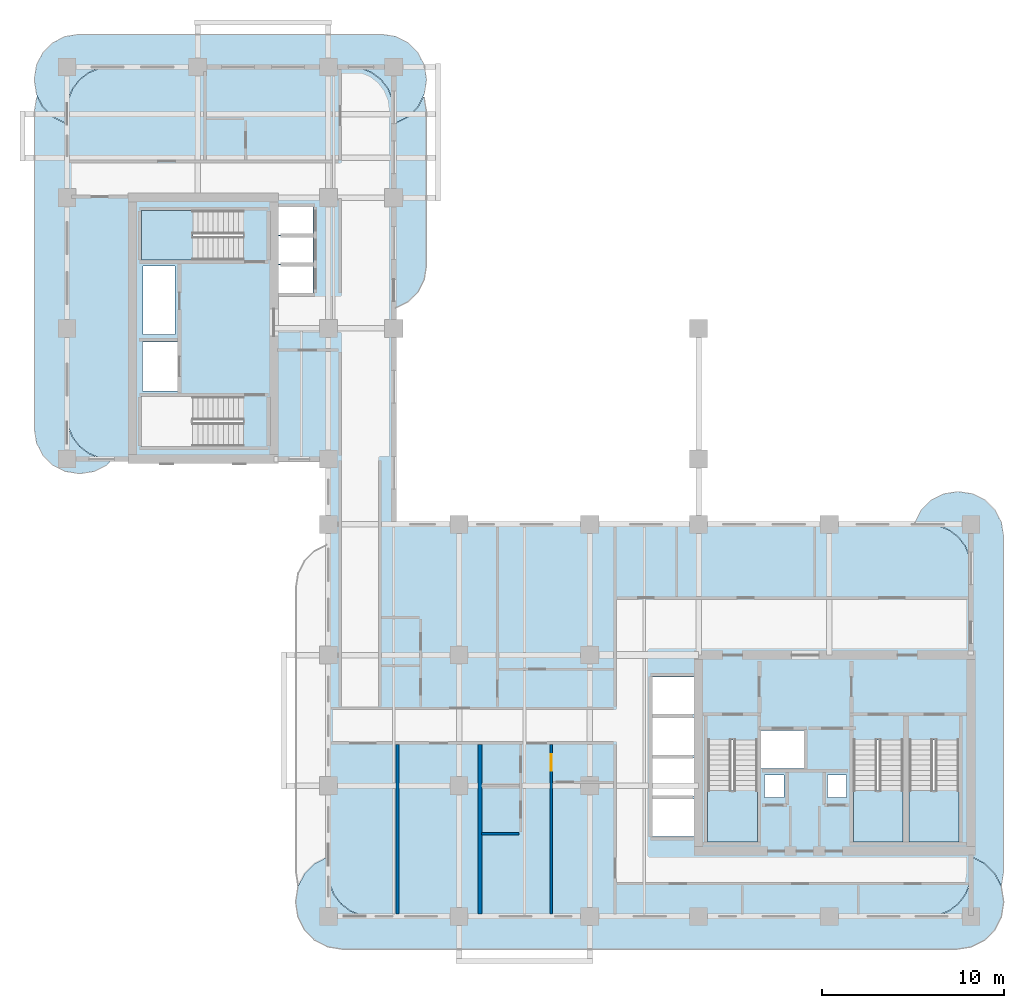
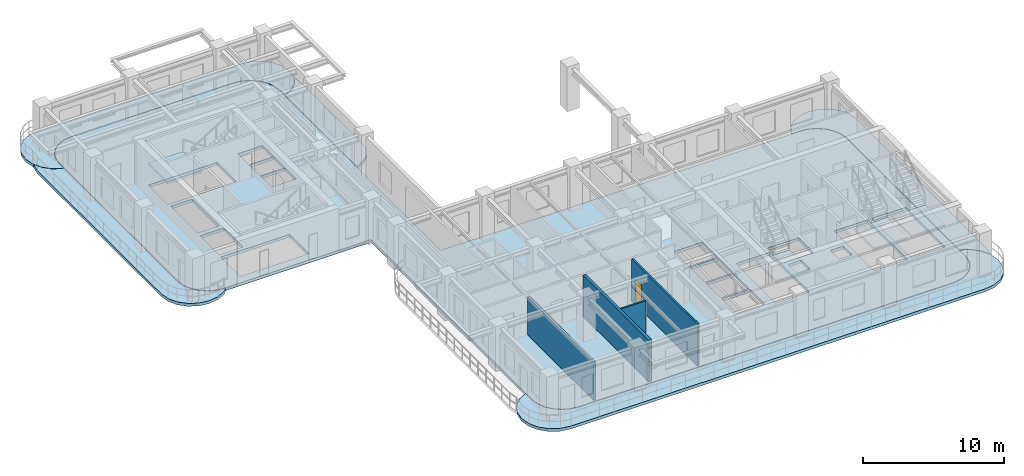
# One storey, part 3 of 14: 10 slabs, 4 walls, 1 door, 1 opening, 4 elements without a shape of their own.
"""IFC4 building model written with IfcOpenShell, lengths in metres."""

from ifc_helpers import new_model, si_unit, derived_unit, direction, frame, frame_2d, origin, place, context, subcontext, project, spatial, polyline, rectangle, outline, extrude, source, transform, mapped, material, layer, layer_set, type_object, type_shapes, element, fill, aggregate, save


model = new_model("IFC4")

# Units and contexts
model_context = context("Model", 3, precision=1e-05, world=origin(), true_north=direction((0.0, 1.0)))
body_context = subcontext(model_context, "Body", "Model", "MODEL_VIEW")
ifc_project = project(units=[si_unit("LENGTHUNIT", "METRE"), si_unit("AREAUNIT", "SQUARE_METRE"), si_unit("VOLUMEUNIT", "CUBIC_METRE"), si_unit("PLANEANGLEUNIT", "RADIAN"), si_unit("MASSUNIT", "GRAM", prefix="KILO"), si_unit("THERMODYNAMICTEMPERATUREUNIT", "KELVIN"), si_unit("POWERUNIT", "WATT"), derived_unit("THERMALTRANSMITTANCEUNIT", [(si_unit("POWERUNIT", "WATT"), 1), (si_unit("AREAUNIT", "SQUARE_METRE"), -1), (si_unit("THERMODYNAMICTEMPERATUREUNIT", "KELVIN"), -1)])], contexts=[model_context])

# Site, building, storey
site_placement = place(None, origin())
site = spatial("IfcSite", under=ifc_project, at=site_placement, CompositionType="ELEMENT")
building_placement = place(site_placement, origin())
building = spatial("IfcBuilding", under=site, at=building_placement, Name="Zahravan Archway Hotel and Residences", CompositionType="ELEMENT")
storey_placement = place(building_placement, frame((0.0, 0.0, 188.800048828125)))
storey = spatial("IfcBuildingStorey", under=building, at=storey_placement, Name="L47", CompositionType="ELEMENT", Elevation=188.800048828125)

# Slabs
ifc_material_1 = material(Name="Concrete C45/55", Category="concrete")
ifc_layer_1 = layer(ifc_material_1, 0.25, Name="Concrete C45/55", Category="concrete")
ifc_layer_set_1 = layer_set([ifc_layer_1], Name="Concrete C45/55")
slab_type_1 = type_object("IfcSlabType", Name="SLB-BALC-250", PredefinedType="FLOOR", material=ifc_layer_set_1)
slab_1_placement = place(storey_placement, frame((0.0, 0.0, -0.25)))
element("IfcSlab", 1, at=slab_1_placement, inside=storey, type_object=slab_type_1, Name="L47 Wing A South Rounded Balcony Band", PredefinedType="FLOOR", context=body_context, shape_type="SweptSolid", body=[
    extrude(outline(polyline([(49.837890625, 3.275146484375), (50.548828125, 2.9130859375), (51.113037109375, 2.348876953125), (51.47509765625, 1.637939453125), (51.60009765625, 0.85009765625), (51.60009765625, 0.75), (51.47509765625, -0.0380859375), (51.113037109375, -0.748779296875), (50.548828125, -1.31298828125), (49.837890625, -1.67529296875), (49.050048828125, -1.800048828125), (15.14990234375, -1.800048828125), (14.362060546875, -1.67529296875), (13.651123046875, -1.31298828125), (13.0869140625, -0.748779296875), (12.724853515625, -0.0380859375), (12.60009765625, 0.75), (12.60009765625, 0.85009765625), (12.724853515625, 1.637939453125), (13.0869140625, 2.348876953125), (13.651123046875, 2.9130859375), (14.362060546875, 3.275146484375), (14.3798828125, 3.278076171875), (14.3798828125, 2.39990234375), (14.380126953125, 2.3974609375), (14.4619140625, 1.776123046875), (14.46240234375, 1.7744140625), (14.462646484375, 1.772705078125), (14.46337890625, 1.77099609375), (14.702880859375, 1.1923828125), (14.703857421875, 1.19091796875), (14.70458984375, 1.189208984375), (14.70556640625, 1.187744140625), (15.0869140625, 0.690673828125), (15.088134765625, 0.689453125), (15.08935546875, 0.688232421875), (15.0908203125, 0.68701171875), (15.587890625, 0.3056640625), (15.58935546875, 0.3046875), (15.5908203125, 0.3037109375), (15.59228515625, 0.302978515625), (16.171142578125, 0.063232421875), (16.1728515625, 0.062744140625), (16.174560546875, 0.062255859375), (16.17626953125, 0.06201171875), (16.79736328125, -0.019775390625), (16.800048828125, -0.02001953125), (47.39990234375, -0.02001953125), (47.402587890625, -0.019775390625), (48.023681640625, 0.06201171875), (48.025390625, 0.062255859375), (48.027099609375, 0.062744140625), (48.02880859375, 0.063232421875), (48.607666015625, 0.302978515625), (48.609130859375, 0.3037109375), (48.610595703125, 0.3046875), (48.6123046875, 0.3056640625), (49.109375, 0.68701171875), (49.110595703125, 0.688232421875), (49.11181640625, 0.689453125), (49.113037109375, 0.690673828125), (49.494384765625, 1.187744140625), (49.495361328125, 1.189208984375), (49.49609375, 1.19091796875), (49.4970703125, 1.1923828125), (49.73681640625, 1.77099609375), (49.7373046875, 1.772705078125), (49.73779296875, 1.7744140625), (49.738037109375, 1.776123046875), (49.81982421875, 2.3974609375), (49.820068359375, 2.39990234375), (49.820068359375, 3.278076171875), (49.837890625, 3.275146484375)])), origin(), (0.0, 0.0, 1.0), 0.25),
])
slab_2_placement = place(storey_placement, frame((0.0, 0.0, -0.25)))
element("IfcSlab", 2, at=slab_2_placement, inside=storey, type_object=slab_type_1, Name="L47 Wing A East Rounded Balcony Band", PredefinedType="FLOOR", context=body_context, shape_type="SweptSolid", body=[
    extrude(outline(polyline([(46.719970703125, 21.70703125), (47.06787109375, 22.39013671875), (47.60986328125, 22.93212890625), (48.29296875, 23.280029296875), (49.050048828125, 23.39990234375), (49.14990234375, 23.39990234375), (49.906982421875, 23.280029296875), (50.590087890625, 22.93212890625), (51.132080078125, 22.39013671875), (51.47998046875, 21.70703125), (51.60009765625, 20.949951171875), (51.60009765625, 2.449951171875), (51.47998046875, 1.69287109375), (51.474853515625, 1.6826171875), (51.130859375, 2.35791015625), (51.1298828125, 2.35986328125), (51.12841796875, 2.361572265625), (51.127197265625, 2.363037109375), (50.56298828125, 2.927001953125), (50.5615234375, 2.928466796875), (50.559814453125, 2.9296875), (50.55810546875, 2.930908203125), (49.84716796875, 3.29296875), (49.84521484375, 3.2939453125), (49.84326171875, 3.29443359375), (49.841064453125, 3.294921875), (49.822998046875, 3.2978515625), (49.8212890625, 3.298095703125), (49.820068359375, 3.298095703125), (49.820068359375, 19.199951171875), (49.81982421875, 19.20263671875), (49.738037109375, 19.82373046875), (49.73779296875, 19.825439453125), (49.7373046875, 19.8271484375), (49.73681640625, 19.828857421875), (49.4970703125, 20.40771484375), (49.49609375, 20.4091796875), (49.495361328125, 20.41064453125), (49.494384765625, 20.412109375), (49.113037109375, 20.9091796875), (49.11181640625, 20.91064453125), (49.110595703125, 20.911865234375), (49.109375, 20.9130859375), (48.6123046875, 21.29443359375), (48.610595703125, 21.29541015625), (48.609130859375, 21.296142578125), (48.607666015625, 21.297119140625), (48.02880859375, 21.53662109375), (48.027099609375, 21.537353515625), (48.025390625, 21.53759765625), (48.023681640625, 21.5380859375), (47.402587890625, 21.619873046875), (47.39990234375, 21.6201171875), (46.7060546875, 21.6201171875), (46.719970703125, 21.70703125)])), origin(), (0.0, 0.0, 1.0), 0.25),
])
slab_3_placement = place(storey_placement, frame((0.0, 0.0, -0.25)))
element("IfcSlab", 3, at=slab_3_placement, inside=storey, type_object=slab_type_1, Name="L47 Wing B North Rounded Balcony Band", PredefinedType="FLOOR", context=body_context, shape_type="SweptSolid", body=[
    extrude(outline(polyline([(-0.107177734375, 43.719970703125), (-0.7900390625, 44.06787109375), (-1.33203125, 44.60986328125), (-1.68017578125, 45.29296875), (-1.800048828125, 46.050048828125), (-1.800048828125, 46.14990234375), (-1.68017578125, 46.906982421875), (-1.33203125, 47.590087890625), (-0.7900390625, 48.132080078125), (-0.107177734375, 48.47998046875), (0.64990234375, 48.60009765625), (17.35009765625, 48.60009765625), (18.107177734375, 48.47998046875), (18.7900390625, 48.132080078125), (19.33203125, 47.590087890625), (19.68017578125, 46.906982421875), (19.800048828125, 46.14990234375), (19.800048828125, 46.050048828125), (19.68017578125, 45.29296875), (19.33203125, 44.60986328125), (18.7900390625, 44.06787109375), (18.107177734375, 43.719970703125), (18.02001953125, 43.7060546875), (18.02001953125, 44.39990234375), (18.019775390625, 44.402587890625), (17.93798828125, 45.023681640625), (17.937744140625, 45.025390625), (17.937255859375, 45.027099609375), (17.936767578125, 45.02880859375), (17.697021484375, 45.607666015625), (17.6962890625, 45.609130859375), (17.6953125, 45.610595703125), (17.6943359375, 45.6123046875), (17.31298828125, 46.109375), (17.311767578125, 46.110595703125), (17.310546875, 46.11181640625), (17.309326171875, 46.113037109375), (16.812255859375, 46.494384765625), (16.810791015625, 46.495361328125), (16.80908203125, 46.49609375), (16.8076171875, 46.4970703125), (16.22900390625, 46.73681640625), (16.227294921875, 46.7373046875), (16.2255859375, 46.73779296875), (16.223876953125, 46.738037109375), (15.6025390625, 46.81982421875), (15.60009765625, 46.820068359375), (2.39990234375, 46.820068359375), (2.3974609375, 46.81982421875), (1.776123046875, 46.738037109375), (1.7744140625, 46.73779296875), (1.772705078125, 46.7373046875), (1.77099609375, 46.73681640625), (1.1923828125, 46.4970703125), (1.19091796875, 46.49609375), (1.189208984375, 46.495361328125), (1.187744140625, 46.494384765625), (0.690673828125, 46.113037109375), (0.689453125, 46.11181640625), (0.688232421875, 46.110595703125), (0.68701171875, 46.109375), (0.3056640625, 45.6123046875), (0.3046875, 45.610595703125), (0.3037109375, 45.609130859375), (0.302978515625, 45.607666015625), (0.063232421875, 45.02880859375), (0.062744140625, 45.027099609375), (0.062255859375, 45.025390625), (0.06201171875, 45.023681640625), (-0.019775390625, 44.402587890625), (-0.02001953125, 44.39990234375), (-0.02001953125, 43.7060546875), (-0.107177734375, 43.719970703125)])), origin(), (0.0, 0.0, 1.0), 0.25),
])
slab_4_placement = place(storey_placement, frame((0.0, 0.0, -0.25)))
element("IfcSlab", 4, at=slab_4_placement, inside=storey, type_object=slab_type_1, Name="L47 Wing B West Rounded Balcony Band", PredefinedType="FLOOR", context=body_context, shape_type="SweptSolid", body=[
    extrude(outline(polyline([(2.190185546875, 24.867919921875), (1.507080078125, 24.52001953125), (0.75, 24.39990234375), (0.64990234375, 24.39990234375), (-0.107177734375, 24.52001953125), (-0.7900390625, 24.867919921875), (-1.33203125, 25.409912109375), (-1.68017578125, 26.093017578125), (-1.800048828125, 26.85009765625), (-1.800048828125, 44.35009765625), (-1.68017578125, 45.107177734375), (-1.64404296875, 45.177978515625), (-1.349853515625, 44.600830078125), (-1.348876953125, 44.59912109375), (-1.34765625, 44.597412109375), (-1.34619140625, 44.595703125), (-0.80419921875, 44.0537109375), (-0.802734375, 44.052490234375), (-0.801025390625, 44.051025390625), (-0.79931640625, 44.050048828125), (-0.1162109375, 43.7021484375), (-0.1142578125, 43.701171875), (-0.1123046875, 43.70068359375), (-0.110107421875, 43.7001953125), (-0.023193359375, 43.686279296875), (-0.021240234375, 43.68603515625), (-0.02001953125, 43.68603515625), (-0.02001953125, 27.60009765625), (-0.019775390625, 27.597412109375), (0.06201171875, 26.976318359375), (0.062255859375, 26.974609375), (0.062744140625, 26.972900390625), (0.063232421875, 26.97119140625), (0.302978515625, 26.392333984375), (0.3037109375, 26.390869140625), (0.3046875, 26.389404296875), (0.3056640625, 26.3876953125), (0.68701171875, 25.890625), (0.688232421875, 25.889404296875), (0.689453125, 25.88818359375), (0.690673828125, 25.886962890625), (1.187744140625, 25.505615234375), (1.189208984375, 25.504638671875), (1.19091796875, 25.50390625), (1.1923828125, 25.5029296875), (1.77099609375, 25.26318359375), (1.772705078125, 25.2626953125), (1.7744140625, 25.26220703125), (1.776123046875, 25.261962890625), (2.3974609375, 25.18017578125), (2.39990234375, 25.179931640625), (2.502197265625, 25.179931640625), (2.190185546875, 24.867919921875)])), origin(), (0.0, 0.0, 1.0), 0.25),
])
slab_5_placement = place(storey_placement, frame((0.0, 0.0, -0.25)))
element("IfcSlab", 5, at=slab_5_placement, inside=storey, type_object=slab_type_1, Name="L47 Wing B East Rounded Balcony Band", PredefinedType="FLOOR", context=body_context, shape_type="SweptSolid", body=[
    extrude(outline(polyline([(19.68017578125, 45.107177734375), (19.800048828125, 44.35009765625), (19.800048828125, 35.85009765625), (19.68017578125, 35.093017578125), (19.33203125, 34.409912109375), (18.7900390625, 33.867919921875), (18.107177734375, 33.52001953125), (18.02001953125, 33.506103515625), (18.02001953125, 43.68603515625), (18.021240234375, 43.68603515625), (18.023193359375, 43.686279296875), (18.110107421875, 43.7001953125), (18.1123046875, 43.70068359375), (18.1142578125, 43.701171875), (18.1162109375, 43.7021484375), (18.79931640625, 44.050048828125), (18.801025390625, 44.051025390625), (18.802734375, 44.052490234375), (18.80419921875, 44.0537109375), (19.34619140625, 44.595703125), (19.34765625, 44.597412109375), (19.348876953125, 44.59912109375), (19.349853515625, 44.600830078125), (19.64404296875, 45.177978515625), (19.68017578125, 45.107177734375)])), origin(), (0.0, 0.0, 1.0), 0.25),
])
ifc_layer_2 = layer(ifc_material_1, 0.25, Name="Concrete C45/55", Category="concrete")
ifc_layer_set_2 = layer_set([ifc_layer_2], Name="Concrete C45/55")
slab_type_2 = type_object("IfcSlabType", Name="SLB-FLR-250", PredefinedType="FLOOR", material=ifc_layer_set_2)
slab_6_placement = place(storey_placement, frame((0.0, 0.0, -0.25)))
element("IfcSlab", 6, at=slab_6_placement, inside=storey, type_object=slab_type_2, Name="L47 Floor Slab LB", PredefinedType="FLOOR", context=body_context, shape_type="SweptSolid", body=[
    extrude(outline(polyline([(18.0, 21.60009765625), (18.0, 27.60009765625), (18.0, 27.699951171875), (18.0, 44.39990234375), (17.918212890625, 45.021240234375), (17.678466796875, 45.60009765625), (17.297119140625, 46.09716796875), (16.800048828125, 46.478515625), (16.22119140625, 46.71826171875), (15.60009765625, 46.800048828125), (2.39990234375, 46.800048828125), (1.77880859375, 46.71826171875), (1.199951171875, 46.478515625), (0.702880859375, 46.09716796875), (0.321533203125, 45.60009765625), (0.081787109375, 45.021240234375), (0.0, 44.39990234375), (0.0, 27.60009765625), (0.081787109375, 26.978759765625), (0.321533203125, 26.39990234375), (0.702880859375, 25.90283203125), (1.199951171875, 25.521484375), (1.77880859375, 25.28173828125), (2.39990234375, 25.199951171875), (14.39990234375, 25.199951171875), (14.39990234375, 19.199951171875), (14.39990234375, 19.10009765625), (14.39990234375, 2.39990234375), (14.481689453125, 1.77880859375), (14.721435546875, 1.199951171875), (15.102783203125, 0.702880859375), (15.60009765625, 0.321533203125), (16.1787109375, 0.081787109375), (16.800048828125, 0.0), (47.39990234375, 0.0), (48.021240234375, 0.081787109375), (48.60009765625, 0.321533203125), (49.09716796875, 0.702880859375), (49.478515625, 1.199951171875), (49.71826171875, 1.77880859375), (49.800048828125, 2.39990234375), (49.800048828125, 19.199951171875), (49.71826171875, 19.8212890625), (49.478515625, 20.39990234375), (49.09716796875, 20.897216796875), (48.60009765625, 21.278564453125), (48.021240234375, 21.518310546875), (47.39990234375, 21.60009765625), (18.0, 21.60009765625)]), holes=[polyline([(35.300048828125, 9.72998046875), (35.300048828125, 4.10009765625), (38.0400390625, 4.10009765625), (38.0400390625, 9.72998046875), (35.300048828125, 9.72998046875)]), polyline([(43.320068359375, 9.72998046875), (43.320068359375, 4.10009765625), (46.06005859375, 4.10009765625), (46.06005859375, 9.72998046875), (43.320068359375, 9.72998046875)]), polyline([(46.39990234375, 9.72998046875), (46.39990234375, 4.10009765625), (49.139892578125, 4.10009765625), (49.139892578125, 9.72998046875), (46.39990234375, 9.72998046875)]), polyline([(9.72998046875, 28.639892578125), (4.10009765625, 28.639892578125), (4.10009765625, 25.89990234375), (9.72998046875, 25.89990234375), (9.72998046875, 28.639892578125)]), polyline([(9.72998046875, 38.89990234375), (4.10009765625, 38.89990234375), (4.10009765625, 36.159912109375), (9.72998046875, 36.159912109375), (9.72998046875, 38.89990234375)]), polyline([(38.179931640625, 8.14990234375), (40.699951171875, 8.14990234375), (40.699951171875, 10.25), (38.179931640625, 10.25), (38.179931640625, 8.14990234375)]), polyline([(4.14990234375, 28.949951171875), (6.10009765625, 28.949951171875), (6.10009765625, 31.64990234375), (4.14990234375, 31.64990234375), (4.14990234375, 28.949951171875)]), polyline([(11.550048828125, 34.35009765625), (13.550048828125, 34.35009765625), (13.550048828125, 35.889892578125), (11.550048828125, 35.889892578125), (11.550048828125, 34.35009765625)]), polyline([(11.550048828125, 35.949951171875), (13.550048828125, 35.949951171875), (13.550048828125, 37.489990234375), (11.550048828125, 37.489990234375), (11.550048828125, 35.949951171875)]), polyline([(11.550048828125, 37.550048828125), (13.550048828125, 37.550048828125), (13.550048828125, 39.090087890625), (11.550048828125, 39.090087890625), (11.550048828125, 37.550048828125)]), polyline([(32.25, 4.39990234375), (34.550048828125, 4.39990234375), (34.550048828125, 6.47998046875), (32.25, 6.47998046875), (32.25, 4.39990234375)]), polyline([(32.25, 6.639892578125), (34.550048828125, 6.639892578125), (34.550048828125, 8.719970703125), (32.25, 8.719970703125), (32.25, 6.639892578125)]), polyline([(32.25, 8.8798828125), (34.550048828125, 8.8798828125), (34.550048828125, 10.9599609375), (32.25, 10.9599609375), (32.25, 8.8798828125)]), polyline([(32.25, 11.1201171875), (34.550048828125, 11.1201171875), (34.550048828125, 13.199951171875), (32.25, 13.199951171875), (32.25, 11.1201171875)]), polyline([(38.419921875, 6.56005859375), (39.5, 6.56005859375), (39.5, 7.780029296875), (38.419921875, 7.780029296875), (38.419921875, 6.56005859375)]), polyline([(41.89990234375, 6.56005859375), (42.9599609375, 6.56005859375), (42.9599609375, 7.780029296875), (41.89990234375, 7.780029296875), (41.89990234375, 6.56005859375)]), polyline([(4.179931640625, 32.050048828125), (5.93994140625, 32.050048828125), (5.93994140625, 35.840087890625), (4.179931640625, 35.840087890625), (4.179931640625, 32.050048828125)])]), origin(), (0.0, 0.0, 1.0), 0.25),
])

# Stair, slab
ifc_material_2 = material(Name="Concrete C50/60", Category="concrete")
stair_type = type_object("IfcStairType", Name="STR-CORE-1300", PredefinedType="HALF_TURN_STAIR", material=ifc_material_2)
stair_1_placement = place(storey_placement, origin())
stair_1 = element("IfcStair", 7, at=stair_1_placement, inside=storey, type_object=stair_type, Name="L47 Core A Exit Stair 1", PredefinedType="HALF_TURN_STAIR")
ifc_layer_3 = layer(ifc_material_2, 0.199951171875, Name="Concrete C50/60", Category="concrete")
ifc_layer_set_3 = layer_set([ifc_layer_3], Name="Concrete C50/60")
slab_type_3 = type_object("IfcSlabType", Name="SLB-LND-200", PredefinedType="LANDING", material=ifc_layer_set_3)
slab_7_placement = place(storey_placement, frame((0.0, 0.0, 1.724853515625)))
slab_7 = element("IfcSlab", 8, at=slab_7_placement, type_object=slab_type_3, Name="ST-A1 landing 1", PredefinedType="LANDING", context=body_context, shape_type="SweptSolid", body=[
    extrude(outline(polyline([(35.300048828125, 6.929931640625), (35.300048828125, 4.10009765625), (38.0400390625, 4.10009765625), (38.0400390625, 6.929931640625), (35.300048828125, 6.929931640625)])), origin(), (0.0, 0.0, 1.0), 0.2001953125),
])
aggregate(stair_1, [slab_7])

stair_2_placement = place(storey_placement, origin())
stair_2 = element("IfcStair", 9, at=stair_2_placement, inside=storey, type_object=stair_type, Name="L47 Core A Exit Stair 2", PredefinedType="HALF_TURN_STAIR")
slab_8_placement = place(storey_placement, frame((0.0, 0.0, 1.724853515625)))
slab_8 = element("IfcSlab", 10, at=slab_8_placement, type_object=slab_type_3, Name="ST-A2 landing 1", PredefinedType="LANDING", context=body_context, shape_type="SweptSolid", body=[
    extrude(outline(polyline([(43.320068359375, 6.929931640625), (43.320068359375, 4.10009765625), (46.06005859375, 4.10009765625), (46.06005859375, 6.929931640625), (43.320068359375, 6.929931640625)])), origin(), (0.0, 0.0, 1.0), 0.2001953125),
])
aggregate(stair_2, [slab_8])

stair_3_placement = place(storey_placement, origin())
stair_3 = element("IfcStair", 11, at=stair_3_placement, inside=storey, type_object=stair_type, Name="L47 Core A Exit Stair 3", PredefinedType="HALF_TURN_STAIR")
slab_9_placement = place(storey_placement, frame((0.0, 0.0, 1.724853515625)))
slab_9 = element("IfcSlab", 12, at=slab_9_placement, type_object=slab_type_3, Name="ST-A3 landing 1", PredefinedType="LANDING", context=body_context, shape_type="SweptSolid", body=[
    extrude(outline(polyline([(46.39990234375, 6.929931640625), (46.39990234375, 4.10009765625), (49.139892578125, 4.10009765625), (49.139892578125, 6.929931640625), (46.39990234375, 6.929931640625)])), origin(), (0.0, 0.0, 1.0), 0.2001953125),
])
aggregate(stair_3, [slab_9])

stair_4_placement = place(storey_placement, origin())
stair_4 = element("IfcStair", 13, at=stair_4_placement, inside=storey, type_object=stair_type, Name="L47 Core B Exit Stair 2", PredefinedType="HALF_TURN_STAIR")
slab_10_placement = place(storey_placement, frame((0.0, 0.0, 1.724853515625)))
slab_10 = element("IfcSlab", 14, at=slab_10_placement, type_object=slab_type_3, Name="ST-B2 landing 1", PredefinedType="LANDING", context=body_context, shape_type="SweptSolid", body=[
    extrude(outline(polyline([(6.929931640625, 38.89990234375), (4.10009765625, 38.89990234375), (4.10009765625, 36.159912109375), (6.929931640625, 36.159912109375), (6.929931640625, 38.89990234375)])), origin(), (0.0, 0.0, 1.0), 0.2001953125),
])
aggregate(stair_4, [slab_10])

# Wall
ifc_material_3 = material(Name="Fire-Rated Gypsum & Concrete Block", Category="concrete")
ifc_layer_4 = layer(ifc_material_3, 0.219970703125, Name="Fire-Rated Gypsum & Concrete Block", Category="concrete")
ifc_layer_set_4 = layer_set([ifc_layer_4], Name="Fire-Rated Gypsum & Concrete Block")
wall_type_1 = type_object("IfcWallType", Name="PW-COMP-220", PredefinedType="PARTITIONING", material=ifc_layer_set_4)
wall_1_placement = place(storey_placement, frame((22.75, 0.14794921875, 0.0), z_axis=(0.0, 0.0, 1.0), x_axis=(0.0, 1.0, 0.0)))
element("IfcWall", 15, at=wall_1_placement, inside=storey, type_object=wall_type_1, Name="L47 Partition WAS-R2B", PredefinedType="PARTITIONING", context=body_context, shape_type="SweptSolid", body=[
    extrude(rectangle(XDim=9.31201171875, YDim=0.219970703125, at=frame_2d((4.656005859375, 0.0))), origin(), (0.0, 0.0, 1.0), 3.599853515625),
])

# Wall, opening, door
ifc_material_4 = material(Name="Acoustic Stud Partition")
ifc_layer_5 = layer(ifc_material_4, 0.14990234375, Name="Acoustic Stud Partition")
ifc_layer_set_5 = layer_set([ifc_layer_5], Name="Acoustic Stud Partition")
wall_type_2 = type_object("IfcWallType", Name="PW-UNIT-150", PredefinedType="PARTITIONING", material=ifc_layer_set_5)
wall_2_placement = place(storey_placement, frame((26.679931640625, 0.14794921875, 0.0), z_axis=(0.0, 0.0, 1.0), x_axis=(0.0, 1.0, 0.0)))
wall_2 = element("IfcWall", 16, at=wall_2_placement, inside=storey, type_object=wall_type_2, Name="L47 Partition FL-S1-SP", PredefinedType="PARTITIONING", context=body_context, shape_type="SweptSolid", body=[
    extrude(rectangle(XDim=9.31201171875, YDim=0.14990234375, at=frame_2d((4.656005859375, 0.0))), origin(), (0.0, 0.0, 1.0), 3.599853515625),
])
opening_placement = place(wall_2_placement, frame((7.876953125, 0.0, 0.0)))
opening = element("IfcOpeningElement", 17, at=opening_placement, cuts=wall_2, Name="Opening D-I2", PredefinedType="OPENING", context=body_context, shape_type="SweptSolid", body=[
    extrude(rectangle(XDim=0.89990234375, YDim=2.14990234375, at=frame_2d((0.449951171875, 1.074951171875))), frame((0.0, 0.0849609375, 0.0), z_axis=(0.0, -1.0, 0.0), x_axis=(1.0, 0.0, 0.0)), (0.0, 0.0, 1.0), 0.169921875),
])
ifc_material_5 = material(Name="Hardwood Veneer Timber", Category="wood")
door_type = type_object("IfcDoorType", Name="ID-INT-900", OperationType="NOTDEFINED", PredefinedType="DOOR", material=ifc_material_5)
shared_shape = source(origin(), body_context, "Body", "SweptSolid", [
    extrude(rectangle(XDim=0.89990234375, YDim=2.14990234375, at=frame_2d((0.449951171875, 1.074951171875))), frame((0.0, 0.02490234375, 0.0), z_axis=(0.0, -1.0, 0.0), x_axis=(1.0, 0.0, 0.0)), (0.0, 0.0, 1.0), 0.050048828125),
])
type_shapes(door_type, [shared_shape])
door_placement = place(opening_placement, origin())
door = element("IfcDoor", 18, at=door_placement, inside=storey, type_object=door_type, Name="L47 Flat S1 Bedroom Hall Door", OperationType="SINGLE_SWING_RIGHT", OverallHeight=2.14990234375, OverallWidth=0.89990234375, PredefinedType="DOOR", context=body_context, shape_type="MappedRepresentation", body=[
    mapped(shared_shape, transform((0.0, 0.0, 0.0), scale=1.0)),
])
fill(opening, door)

# Walls
ifc_layer_6 = layer(ifc_material_4, 0.169921875, Name="Acoustic Stud Partition")
ifc_layer_set_6 = layer_set([ifc_layer_6], Name="Acoustic Stud Partition")
wall_type_3 = type_object("IfcWallType", Name="PW-UNIT-170", PredefinedType="PARTITIONING", material=ifc_layer_set_6)
wall_3_placement = place(storey_placement, frame((18.199951171875, 0.14794921875, 0.0), z_axis=(0.0, 0.0, 1.0), x_axis=(0.0, 1.0, 0.0)))
element("IfcWall", 19, at=wall_3_placement, inside=storey, type_object=wall_type_3, Name="L47 Partition WAS-R2A", PredefinedType="PARTITIONING", context=body_context, shape_type="SweptSolid", body=[
    extrude(rectangle(XDim=9.31201171875, YDim=0.169921875, at=frame_2d((4.656005859375, 0.0))), origin(), (0.0, 0.0, 1.0), 3.284912109375),
])
ifc_material_6 = material(Name="Moisture-Resistant Blockwork", Category="masonry")
ifc_layer_7 = layer(ifc_material_6, 0.139892578125, Name="Moisture-Resistant Blockwork", Category="masonry")
ifc_layer_set_7 = layer_set([ifc_layer_7], Name="Moisture-Resistant Blockwork")
wall_type_4 = type_object("IfcWallType", Name="PW-WET-140", PredefinedType="PARTITIONING", material=ifc_layer_set_7)
wall_4_placement = place(storey_placement, frame((22.840087890625, 4.550048828125, 0.0), z_axis=(0.0, 0.0, 1.0), x_axis=(1.0, 0.0, 0.0)))
element("IfcWall", 20, at=wall_4_placement, inside=storey, type_object=wall_type_4, Name="L47 Partition FL-S1-KH", PredefinedType="PARTITIONING", context=body_context, shape_type="SweptSolid", body=[
    extrude(rectangle(XDim=2.06982421875, YDim=0.139892578125, at=frame_2d((1.034912109375, 0.0))), origin(), (0.0, 0.0, 1.0), 3.599853515625),
])

save(model, "model.ifc")
